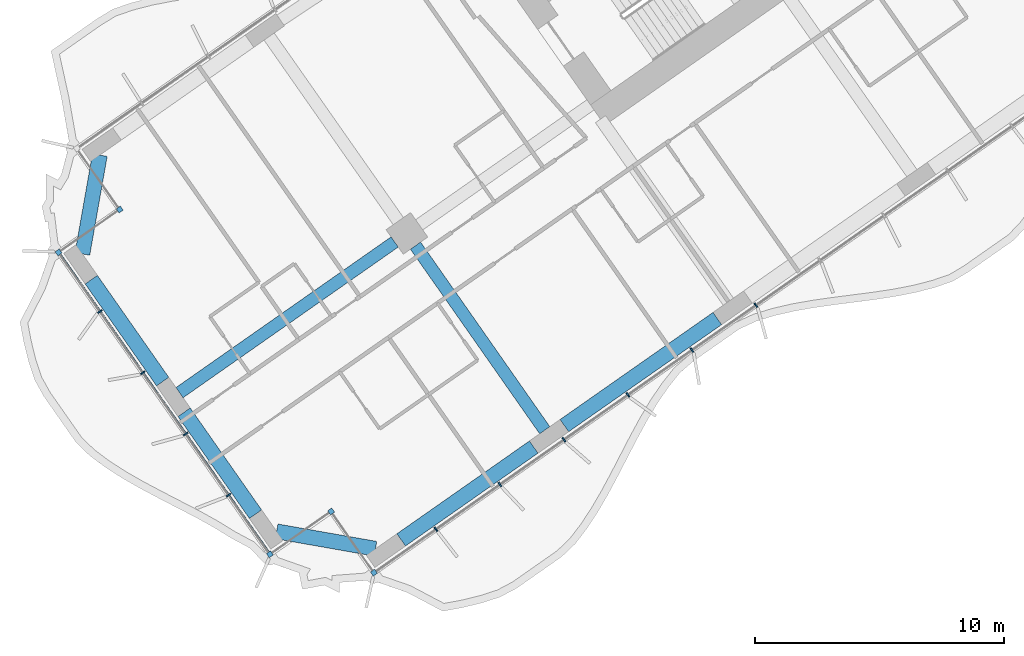
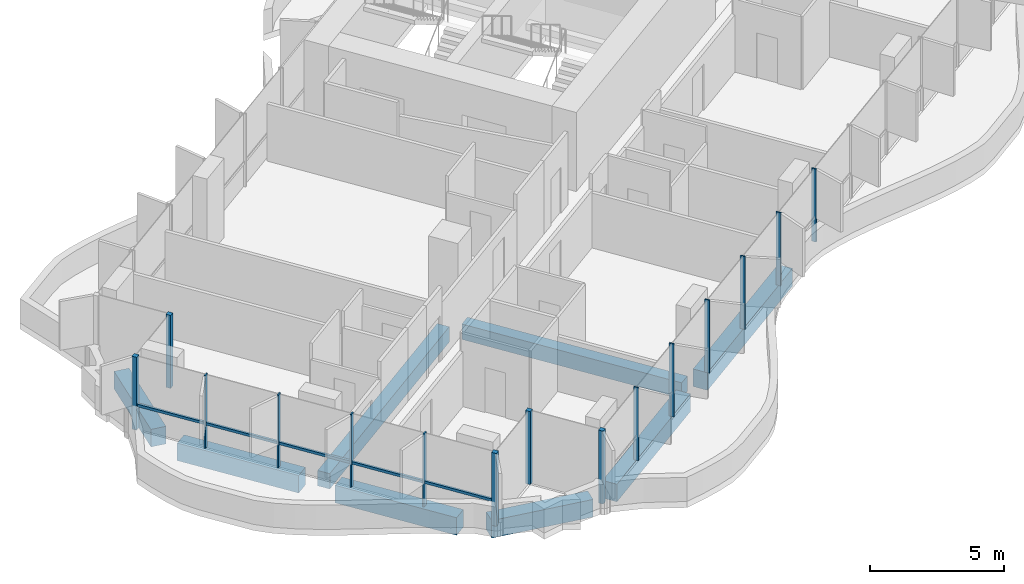
# One storey, part 2 of 23: 16 members, 8 beams, 1 element without a shape of its own.
"""IFC4 building model written with IfcOpenShell, lengths in metres."""

from ifc_helpers import new_model, si_unit, direction, frame, origin, origin_2d, place, context, subcontext, project, spatial, rectangle, extrude, material, material_profile, profile_set, type_object, element, aggregate, save


model = new_model("IFC4")

# Units and contexts
model_context = context("Model", 3, precision=1e-05, world=origin(), true_north=direction((0.0, 1.0)))
body_context = subcontext(model_context, "Body", "Model", "MODEL_VIEW")
ifc_project = project(units=[si_unit("LENGTHUNIT", "METRE"), si_unit("AREAUNIT", "SQUARE_METRE"), si_unit("VOLUMEUNIT", "CUBIC_METRE"), si_unit("PLANEANGLEUNIT", "RADIAN"), si_unit("MASSUNIT", "GRAM", prefix="KILO")], contexts=[model_context])

# Site, building, storey
site_placement = place(None, origin())
site = spatial("IfcSite", under=ifc_project, at=site_placement, CompositionType="ELEMENT")
building_placement = place(site_placement, origin())
building = spatial("IfcBuilding", under=site, at=building_placement, Name="Tel Ilan Convention Tower", CompositionType="ELEMENT")
storey_placement = place(building_placement, frame((0.0, 0.0, 83.300048828125)))
storey = spatial("IfcBuildingStorey", under=building, at=storey_placement, Name="L16", CompositionType="ELEMENT", Elevation=83.300048828125)

# Beams
ifc_material_1 = material(Name="Concrete C40/50", Category="concrete")
ifc_material_profile_1 = material_profile(ifc_material_1, rectangle(XDim=0.5, YDim=0.699951171875, at=origin_2d()), Name="RC 500x700")
ifc_profile_set_1 = profile_set([ifc_material_profile_1], Name="Concrete C40/50")
beam_type_1 = type_object("IfcBeamType", Name="Beam RC 500x700 Concrete C40/50", PredefinedType="BEAM", material=ifc_profile_set_1)
beam_1_placement = place(storey_placement, frame((-29.98095703125, -20.992919921875, -0.630126953125), z_axis=(-0.819151461915, -0.573577268067, 0.0), x_axis=(0.573577268067, -0.819151461915, 0.0)))
element("IfcBeam", 1, at=beam_1_placement, inside=storey, type_object=beam_type_1, Name="L16 beam W-W-M4-end", PredefinedType="BEAM", context=body_context, shape_type="SweptSolid", body=[
    extrude(rectangle(XDim=0.5, YDim=0.699951171875, at=origin_2d()), origin(), (0.0, 0.0, 1.0), 10.550048828125),
])
beam_2_placement = place(storey_placement, frame((-29.145263671875, -21.14013671875, -0.630126953125), z_axis=(0.573549245583, -0.819171082798, 0.0), x_axis=(0.819171082798, 0.573549245583, 0.0)))
element("IfcBeam", 2, at=beam_2_placement, inside=storey, type_object=beam_type_1, Name="L16 beam W-W-M4-W-F4", PredefinedType="BEAM", context=body_context, shape_type="SweptSolid", body=[
    extrude(rectangle(XDim=0.5, YDim=0.699951171875, at=origin_2d()), origin(), (0.0, 0.0, 1.0), 9.050048828125),
])
ifc_material_2 = material(Name="Concrete C40/50", Category="concrete")
ifc_material_profile_2 = material_profile(ifc_material_2, rectangle(XDim=0.60009765625, YDim=0.800048828125, at=origin_2d()), Name="RC 600x800")
ifc_profile_set_2 = profile_set([ifc_material_profile_2], Name="Concrete C40/50")
beam_type_2 = type_object("IfcBeamType", Name="Beam RC 600x800 Concrete C40/50", PredefinedType="BEAM", material=ifc_profile_set_2)
beam_3_placement = place(storey_placement, frame((-17.0244140625, -24.0673828125, -0.679931640625), z_axis=(-0.81915238829, -0.573575945067, 0.0), x_axis=(0.573575945067, -0.81915238829, 0.0)))
element("IfcBeam", 3, at=beam_3_placement, inside=storey, type_object=beam_type_2, Name="L16 beam W-W-F3-W-F4", PredefinedType="BEAM", context=body_context, shape_type="SweptSolid", body=[
    extrude(rectangle(XDim=0.60009765625, YDim=0.800048828125, at=origin_2d()), origin(), (0.0, 0.0, 1.0), 7.5),
])
beam_4_placement = place(storey_placement, frame((-24.396728515625, -29.2294921875, -0.679931640625), z_axis=(-0.819148977158, -0.573580816643, 0.0), x_axis=(0.573580816643, -0.819148977158, 0.0)))
element("IfcBeam", 4, at=beam_4_placement, inside=storey, type_object=beam_type_2, Name="L16 beam W-W-F4-W-FC", PredefinedType="BEAM", context=body_context, shape_type="SweptSolid", body=[
    extrude(rectangle(XDim=0.60009765625, YDim=0.800048828125, at=origin_2d()), origin(), (0.0, 0.0, 1.0), 6.5),
])
beam_5_placement = place(storey_placement, frame((-30.75341796875, -33.314208984375, -0.679931640625), z_axis=(-0.984815252405, 0.173605641124, 0.0), x_axis=(-0.173605641124, -0.984815252405, 0.0)))
element("IfcBeam", 5, at=beam_5_placement, inside=storey, type_object=beam_type_2, Name="L16 beam W-W-FC-W-E1", PredefinedType="BEAM", context=body_context, shape_type="SweptSolid", body=[
    extrude(rectangle(XDim=0.60009765625, YDim=0.800048828125, at=origin_2d()), origin(), (0.0, 0.0, 1.0), 4.030517578125),
])
for number, where, z_axis, x_axis, name in (
    (6, (-35.57080078125, -31.92626953125, -0.679931640625), (-0.573586866468, 0.819144740944, 0.0), (-0.819144740944, -0.573586866468, 0.0), "L16 beam W-W-E1-W-E2"),
    (7, (-39.298828125, -26.601806640625, -0.679931640625), (-0.573586866468, 0.819144740944, 0.0), (-0.819144740944, -0.573586866468, 0.0), "L16 beam W-W-E2-W-E3"),
):
    element("IfcBeam", number, at=place(storey_placement, frame(where, z_axis=z_axis, x_axis=x_axis)), inside=storey, type_object=beam_type_2, Name=name, PredefinedType="BEAM", context=body_context, shape_type="SweptSolid", body=[
        extrude(rectangle(XDim=0.60009765625, YDim=0.800048828125, at=origin_2d()), origin(), (0.0, 0.0, 1.0), 5.0),
    ])
beam_6_placement = place(storey_placement, frame((-42.523193359375, -21.473876953125, -0.679931640625), z_axis=(0.173605641124, 0.984815252405, 0.0), x_axis=(-0.984815252405, 0.173605641124, 0.0)))
element("IfcBeam", 8, at=beam_6_placement, inside=storey, type_object=beam_type_2, Name="L16 beam W-W-E3-W-BC", PredefinedType="BEAM", context=body_context, shape_type="SweptSolid", body=[
    extrude(rectangle(XDim=0.60009765625, YDim=0.800048828125, at=origin_2d()), origin(), (0.0, 0.0, 1.0), 4.030517578125),
])

# Curtain wall, members
ifc_material_3 = material(Name="Aluminium, bronze anodised", Category="aluminium")
curtain_wall_type = type_object("IfcCurtainWallType", Name="CW1 UNITISED CURTAIN WALL, HOTEL TINTED GLASS", PredefinedType="NOTDEFINED", material=ifc_material_3)
curtain_wall_placement = place(storey_placement, origin())
curtain_wall = element("IfcCurtainWall", 9, at=curtain_wall_placement, inside=storey, type_object=curtain_wall_type, Name="Curtain wall CW1-15.02", PredefinedType="NOTDEFINED")
ifc_material_4 = material(Name="Aluminium, bronze anodised", Category="aluminium")
ifc_material_profile_3 = material_profile(ifc_material_4, rectangle(XDim=0.199951171875, YDim=0.199951171875, at=origin_2d()), Name="CW CORNER MULLION 200x200")
ifc_profile_set_3 = profile_set([ifc_material_profile_3], Name="Aluminium, bronze anodised")
member_type_1 = type_object("IfcMemberType", Name="CW CORNER MULLION 200x200", PredefinedType="MULLION", material=ifc_profile_set_3)
member_1_placement = place(storey_placement, frame((-41.0244140625, -19.69189453125, 0.0), z_axis=(0.0, 0.0, 1.0), x_axis=(0.573576436351, -0.819152044289, 0.0)))
member_1 = element("IfcMember", 10, at=member_1_placement, type_object=member_type_1, Name="Corner mullion", PredefinedType="MULLION", context=body_context, shape_type="SweptSolid", body=[
    extrude(rectangle(XDim=0.199951171875, YDim=0.199951171875, at=origin_2d()), origin(), (0.0, 0.0, 1.0), 3.320068359375),
])
member_2_placement = place(storey_placement, frame((-43.48193359375, -21.41259765625, 0.0), z_axis=(0.0, 0.0, 1.0), x_axis=(-0.819152044289, -0.573576436351, 0.0)))
member_2 = element("IfcMember", 11, at=member_2_placement, type_object=member_type_1, Name="Corner mullion", PredefinedType="MULLION", context=body_context, shape_type="SweptSolid", body=[
    extrude(rectangle(XDim=0.199951171875, YDim=0.199951171875, at=origin_2d()), origin(), (0.0, 0.0, 1.0), 3.320068359375),
])
member_3_placement = place(storey_placement, frame((-34.992919921875, -33.5361328125, 0.0), z_axis=(0.0, 0.0, 1.0), x_axis=(0.573576436351, -0.819152044289, 0.0)))
member_3 = element("IfcMember", 12, at=member_3_placement, type_object=member_type_1, Name="Corner mullion", PredefinedType="MULLION", context=body_context, shape_type="SweptSolid", body=[
    extrude(rectangle(XDim=0.199951171875, YDim=0.199951171875, at=origin_2d()), origin(), (0.0, 0.0, 1.0), 3.320068359375),
])
member_4_placement = place(storey_placement, frame((-32.535400390625, -31.815185546875, 0.0), z_axis=(0.0, 0.0, 1.0), x_axis=(0.819152044289, 0.573576436351, 0.0)))
member_4 = element("IfcMember", 13, at=member_4_placement, type_object=member_type_1, Name="Corner mullion", PredefinedType="MULLION", context=body_context, shape_type="SweptSolid", body=[
    extrude(rectangle(XDim=0.199951171875, YDim=0.199951171875, at=origin_2d()), origin(), (0.0, 0.0, 1.0), 3.320068359375),
])
member_5_placement = place(storey_placement, frame((-30.814697265625, -34.272705078125, 0.0), z_axis=(0.0, 0.0, 1.0), x_axis=(0.573576436351, -0.819152044289, 0.0)))
member_5 = element("IfcMember", 14, at=member_5_placement, type_object=member_type_1, Name="Corner mullion", PredefinedType="MULLION", context=body_context, shape_type="SweptSolid", body=[
    extrude(rectangle(XDim=0.199951171875, YDim=0.199951171875, at=origin_2d()), origin(), (0.0, 0.0, 1.0), 3.320068359375),
])
ifc_material_5 = material(Name="Aluminium, bronze anodised", Category="aluminium")
ifc_material_profile_4 = material_profile(ifc_material_5, rectangle(XDim=0.06005859375, YDim=0.199951171875, at=origin_2d()), Name="CW MULLION 60x200")
ifc_profile_set_4 = profile_set([ifc_material_profile_4], Name="Aluminium, bronze anodised")
member_type_2 = type_object("IfcMemberType", Name="CW MULLION 60x200", PredefinedType="MULLION", material=ifc_profile_set_4)
member_6_placement = place(storey_placement, frame((-41.818359375, -23.7880859375, 0.0), z_axis=(0.0, 0.0, 1.0), x_axis=(0.573576436351, -0.819152044289, 0.0)))
member_6 = element("IfcMember", 15, at=member_6_placement, type_object=member_type_2, Name="Mullion", PredefinedType="MULLION", context=body_context, shape_type="SweptSolid", body=[
    extrude(rectangle(XDim=0.06005859375, YDim=0.199951171875, at=origin_2d()), origin(), (0.0, 0.0, 1.0), 3.320068359375),
])
member_7_placement = place(storey_placement, frame((-40.09765625, -26.24560546875, 0.0), z_axis=(0.0, 0.0, 1.0), x_axis=(0.573576436351, -0.819152044289, 0.0)))
member_7 = element("IfcMember", 16, at=member_7_placement, type_object=member_type_2, Name="Mullion", PredefinedType="MULLION", context=body_context, shape_type="SweptSolid", body=[
    extrude(rectangle(XDim=0.06005859375, YDim=0.199951171875, at=origin_2d()), origin(), (0.0, 0.0, 1.0), 3.320068359375),
])
member_8_placement = place(storey_placement, frame((-38.376953125, -28.703125, 0.0), z_axis=(0.0, 0.0, 1.0), x_axis=(0.573576436351, -0.819152044289, 0.0)))
member_8 = element("IfcMember", 17, at=member_8_placement, type_object=member_type_2, Name="Mullion", PredefinedType="MULLION", context=body_context, shape_type="SweptSolid", body=[
    extrude(rectangle(XDim=0.06005859375, YDim=0.199951171875, at=origin_2d()), origin(), (0.0, 0.0, 1.0), 3.320068359375),
])
member_9_placement = place(storey_placement, frame((-36.65625, -31.160400390625, 0.0), z_axis=(0.0, 0.0, 1.0), x_axis=(0.573576436351, -0.819152044289, 0.0)))
member_9 = element("IfcMember", 18, at=member_9_placement, type_object=member_type_2, Name="Mullion", PredefinedType="MULLION", context=body_context, shape_type="SweptSolid", body=[
    extrude(rectangle(XDim=0.06005859375, YDim=0.199951171875, at=origin_2d()), origin(), (0.0, 0.0, 1.0), 3.320068359375),
])
member_10_placement = place(storey_placement, frame((-28.32666015625, -32.530517578125, 0.0), z_axis=(0.0, 0.0, 1.0), x_axis=(0.819152044289, 0.573576436351, 0.0)))
member_10 = element("IfcMember", 19, at=member_10_placement, type_object=member_type_2, Name="Mullion", PredefinedType="MULLION", context=body_context, shape_type="SweptSolid", body=[
    extrude(rectangle(XDim=0.06005859375, YDim=0.199951171875, at=origin_2d()), origin(), (0.0, 0.0, 1.0), 3.320068359375),
])
member_11_placement = place(storey_placement, frame((-25.7568359375, -30.731201171875, 0.0), z_axis=(0.0, 0.0, 1.0), x_axis=(0.819152044289, 0.573576436351, 0.0)))
member_11 = element("IfcMember", 20, at=member_11_placement, type_object=member_type_2, Name="Mullion", PredefinedType="MULLION", context=body_context, shape_type="SweptSolid", body=[
    extrude(rectangle(XDim=0.06005859375, YDim=0.199951171875, at=origin_2d()), origin(), (0.0, 0.0, 1.0), 3.320068359375),
])
member_12_placement = place(storey_placement, frame((-23.186767578125, -28.931640625, 0.0), z_axis=(0.0, 0.0, 1.0), x_axis=(0.819152044289, 0.573576436351, 0.0)))
member_12 = element("IfcMember", 21, at=member_12_placement, type_object=member_type_2, Name="Mullion", PredefinedType="MULLION", context=body_context, shape_type="SweptSolid", body=[
    extrude(rectangle(XDim=0.06005859375, YDim=0.199951171875, at=origin_2d()), origin(), (0.0, 0.0, 1.0), 3.320068359375),
])
member_13_placement = place(storey_placement, frame((-20.616943359375, -27.132080078125, 0.0), z_axis=(0.0, 0.0, 1.0), x_axis=(0.819152044289, 0.573576436351, 0.0)))
member_13 = element("IfcMember", 22, at=member_13_placement, type_object=member_type_2, Name="Mullion", PredefinedType="MULLION", context=body_context, shape_type="SweptSolid", body=[
    extrude(rectangle(XDim=0.06005859375, YDim=0.199951171875, at=origin_2d()), origin(), (0.0, 0.0, 1.0), 3.320068359375),
])
member_14_placement = place(storey_placement, frame((-18.046875, -25.332763671875, 0.0), z_axis=(0.0, 0.0, 1.0), x_axis=(0.819152044289, 0.573576436351, 0.0)))
member_14 = element("IfcMember", 23, at=member_14_placement, type_object=member_type_2, Name="Mullion", PredefinedType="MULLION", context=body_context, shape_type="SweptSolid", body=[
    extrude(rectangle(XDim=0.06005859375, YDim=0.199951171875, at=origin_2d()), origin(), (0.0, 0.0, 1.0), 3.320068359375),
])
member_15_placement = place(storey_placement, frame((-15.47705078125, -23.533203125, 0.0), z_axis=(0.0, 0.0, 1.0), x_axis=(0.819152044289, 0.573576436351, 0.0)))
member_15 = element("IfcMember", 24, at=member_15_placement, type_object=member_type_2, Name="Mullion", PredefinedType="MULLION", context=body_context, shape_type="SweptSolid", body=[
    extrude(rectangle(XDim=0.06005859375, YDim=0.199951171875, at=origin_2d()), origin(), (0.0, 0.0, 1.0), 3.320068359375),
])
ifc_material_6 = material(Name="Aluminium, bronze anodised", Category="aluminium")
ifc_material_profile_5 = material_profile(ifc_material_6, rectangle(XDim=0.10009765625, YDim=0.1201171875, at=origin_2d()), Name="CW TRANSOM 100x120")
ifc_profile_set_5 = profile_set([ifc_material_profile_5], Name="Aluminium, bronze anodised")
member_type_3 = type_object("IfcMemberType", Name="CW TRANSOM 100x120", PredefinedType="USERDEFINED", material=ifc_profile_set_5)
member_16_placement = place(storey_placement, frame((-43.424560546875, -21.494384765625, 1.099853515625), z_axis=(0.573575688231, -0.819152568128, 0.0), x_axis=(0.819152568128, 0.573575688231, 0.0)))
member_16 = element("IfcMember", 25, at=member_16_placement, type_object=member_type_3, Name="Transom", ObjectType="TRANSOM", PredefinedType="USERDEFINED", context=body_context, shape_type="SweptSolid", body=[
    extrude(rectangle(XDim=0.10009765625, YDim=0.1201171875, at=origin_2d()), origin(), (0.0, 0.0, 1.0), 14.60009765625),
])
aggregate(curtain_wall, [member_1, member_2, member_6, member_7, member_8, member_9, member_3, member_16, member_4, member_5, member_10, member_11, member_12, member_13, member_14, member_15])

save(model, "model.ifc")
